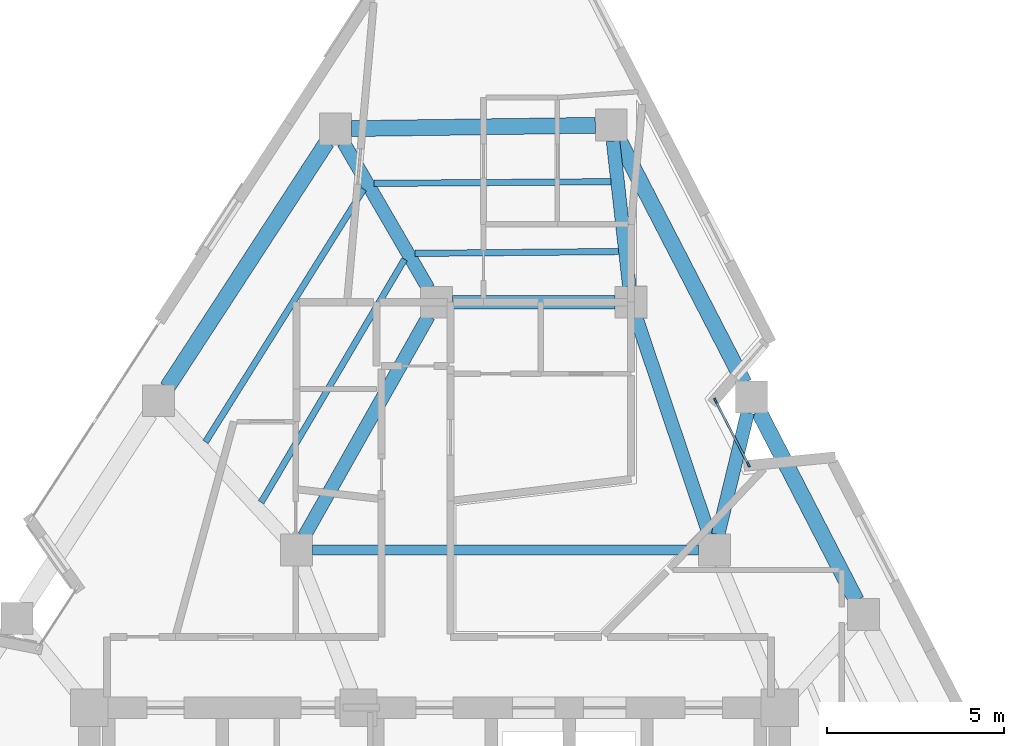
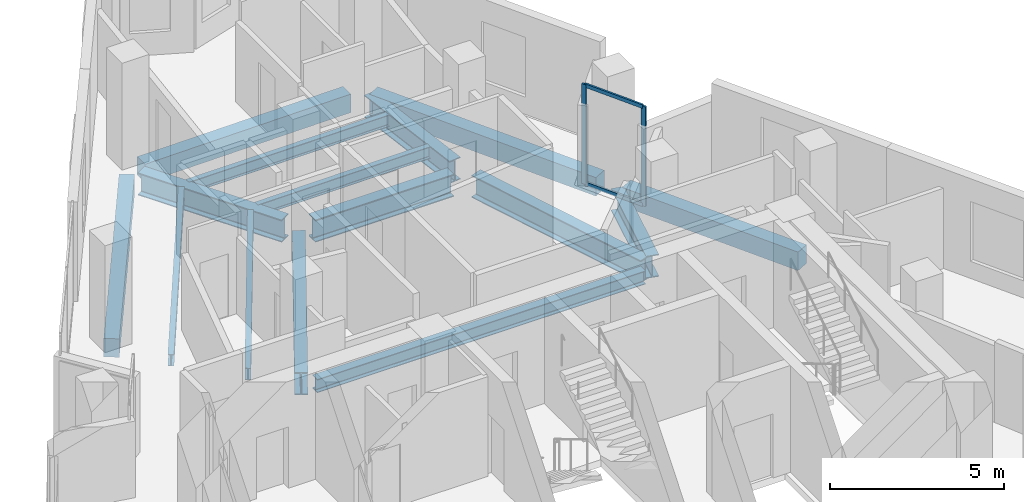
# One storey, part 3 of 9: 15 beams, 4 members, 1 element without a shape of its own.
"""IFC4 building model written with IfcOpenShell, lengths in metres."""

from ifc_helpers import new_model, si_unit, direction, frame, origin, origin_2d, place, context, subcontext, project, spatial, rectangle, i_section, extrude, material, layer, layer_set, material_profile, profile_set, type_object, element, aggregate, save


model = new_model("IFC4")

# Units and contexts
model_context = context("Model", 3, precision=1e-05, world=origin(), true_north=direction((0.0, 1.0)))
body_context = subcontext(model_context, "Body", "Model", "MODEL_VIEW")
ifc_project = project(units=[si_unit("LENGTHUNIT", "METRE"), si_unit("AREAUNIT", "SQUARE_METRE"), si_unit("VOLUMEUNIT", "CUBIC_METRE"), si_unit("PLANEANGLEUNIT", "RADIAN"), si_unit("MASSUNIT", "GRAM", prefix="KILO")], contexts=[model_context])

# Site, building, storey
site_placement = place(None, origin())
site = spatial("IfcSite", under=ifc_project, at=site_placement, CompositionType="ELEMENT")
building_placement = place(site_placement, origin())
building = spatial("IfcBuilding", under=site, at=building_placement, Name="Almagre Mirador Tower", CompositionType="ELEMENT")
storey_placement = place(building_placement, frame((0.0, 0.0, 210.75)))
storey = spatial("IfcBuildingStorey", under=building, at=storey_placement, Name="L54", CompositionType="ELEMENT", Elevation=210.75)

# Beams
ifc_material_1 = material(Name="Steel ASTM A992 Grade 50", Category="steel")
ifc_material_profile_1 = material_profile(ifc_material_1, i_section(OverallWidth=0.281982421875, OverallDepth=0.467041015625, WebThickness=0.01220703125, FlangeThickness=0.01953125, FilletRadius=0.01611328125, at=origin_2d()), Name="W18X86")
ifc_profile_set_1 = profile_set([ifc_material_profile_1], Name="Steel ASTM A992 Grade 50")
beam_type_1 = type_object("IfcBeamType", Name="BM-BAL-W18X86", PredefinedType="JOIST", material=ifc_profile_set_1)
beam_1_placement = place(storey_placement, frame((33.85009765625, 19.199951171875, -0.4833984375), z_axis=(1.0, 0.0, 0.0), x_axis=(0.0, 1.0, 0.0)))
element("IfcBeam", 1, at=beam_1_placement, inside=storey, type_object=beam_type_1, Name="L54 secondary header beam BB-01", PredefinedType="JOIST", context=body_context, shape_type="SweptSolid", body=[
    extrude(i_section(OverallWidth=0.281982421875, OverallDepth=0.467041015625, WebThickness=0.01220703125, FlangeThickness=0.01953125, FilletRadius=0.01611328125, at=origin_2d()), origin(), (0.0, 0.0, 1.0), 10.89990234375),
])
ifc_material_2 = material(Name="Steel ASTM A992 Grade 50", Category="steel")
ifc_material_profile_2 = material_profile(ifc_material_2, i_section(OverallWidth=0.178955078125, OverallDepth=0.408935546875, WebThickness=0.0087890625, FlangeThickness=0.014404296875, FilletRadius=0.013916015625, at=origin_2d()), Name="W16X45")
ifc_profile_set_2 = profile_set([ifc_material_profile_2], Name="Steel ASTM A992 Grade 50")
beam_type_2 = type_object("IfcBeamType", Name="BM-JST-W16X45", PredefinedType="JOIST", material=ifc_profile_set_2)
beam_2_placement = place(storey_placement, frame((42.276123046875, 29.603271484375, -0.45458984375), z_axis=(-0.999974882537, -0.007087615623, 0.0), x_axis=(0.007087615623, -0.999974882537, 0.0)))
element("IfcBeam", 2, at=beam_2_placement, inside=storey, type_object=beam_type_2, Name="L54 secondary floor joist PC08-PC09.1", PredefinedType="JOIST", context=body_context, shape_type="SweptSolid", body=[
    extrude(i_section(OverallWidth=0.178955078125, OverallDepth=0.408935546875, WebThickness=0.0087890625, FlangeThickness=0.014404296875, FilletRadius=0.013916015625, at=origin_2d()), origin(), (0.0, 0.0, 1.0), 6.6826171875),
])
beam_3_placement = place(storey_placement, frame((42.497314453125, 27.63134765625, -0.45458984375), z_axis=(-0.999959183472, -0.009035009166, 0.0), x_axis=(0.009035009166, -0.999959183472, 0.0)))
element("IfcBeam", 3, at=beam_3_placement, inside=storey, type_object=beam_type_2, Name="L54 secondary floor joist PC08-PC09.3", PredefinedType="JOIST", context=body_context, shape_type="SweptSolid", body=[
    extrude(i_section(OverallWidth=0.178955078125, OverallDepth=0.408935546875, WebThickness=0.0087890625, FlangeThickness=0.014404296875, FilletRadius=0.013916015625, at=origin_2d()), origin(), (0.0, 0.0, 1.0), 5.755615234375),
])
beam_4_placement = place(storey_placement, frame((35.2998046875, 29.391845703125, -0.45458984375), z_axis=(-0.530491384924, -0.847690327019, 0.0), x_axis=(0.847690327019, -0.530491384924, 0.0)))
element("IfcBeam", 4, at=beam_4_placement, inside=storey, type_object=beam_type_2, Name="L54 secondary floor joist PC09-PC10.1", PredefinedType="JOIST", context=body_context, shape_type="SweptSolid", body=[
    extrude(i_section(OverallWidth=0.178955078125, OverallDepth=0.408935546875, WebThickness=0.0087890625, FlangeThickness=0.014404296875, FilletRadius=0.013916015625, at=origin_2d()), origin(), (0.0, 0.0, 1.0), 8.421142578125),
])
beam_5_placement = place(storey_placement, frame((36.452392578125, 27.412109375, -0.45458984375), z_axis=(-0.508060215772, -0.861321552702, 0.0), x_axis=(0.861321552702, -0.508060215772, 0.0)))
element("IfcBeam", 5, at=beam_5_placement, inside=storey, type_object=beam_type_2, Name="L54 secondary floor joist PC09-PC10.3", PredefinedType="JOIST", context=body_context, shape_type="SweptSolid", body=[
    extrude(i_section(OverallWidth=0.178955078125, OverallDepth=0.408935546875, WebThickness=0.0087890625, FlangeThickness=0.014404296875, FilletRadius=0.013916015625, at=origin_2d()), origin(), (0.0, 0.0, 1.0), 7.9677734375),
])
ifc_material_3 = material(Name="Precast concrete C50/60", Category="concrete")
ifc_material_profile_3 = material_profile(ifc_material_3, rectangle(XDim=0.449951171875, YDim=0.64990234375, at=origin_2d()), Name="RC450X650")
ifc_profile_set_3 = profile_set([ifc_material_profile_3], Name="Precast concrete C50/60")
beam_type_3 = type_object("IfcBeamType", Name="BM-SPN-RC450X650", PredefinedType="SPANDREL", material=ifc_profile_set_3)
beam_6_placement = place(storey_placement, frame((49.210693359375, 17.778076171875, -0.574951171875), z_axis=(-0.458304670179, 0.888795155979, 0.0), x_axis=(-0.888795155979, -0.458304670179, 0.0)))
element("IfcBeam", 6, at=beam_6_placement, inside=storey, type_object=beam_type_3, Name="L54 perimeter spandrel beam PC06-PC07", PredefinedType="SPANDREL", context=body_context, shape_type="SweptSolid", body=[
    extrude(rectangle(XDim=0.449951171875, YDim=0.64990234375, at=origin_2d()), origin(), (0.0, 0.0, 1.0), 6.0126953125),
])
beam_7_placement = place(storey_placement, frame((46.042724609375, 23.922119140625, -0.574951171875), z_axis=(-0.45830626259, 0.888794334855, 0.0), x_axis=(-0.888794334855, -0.45830626259, 0.0)))
element("IfcBeam", 7, at=beam_7_placement, inside=storey, type_object=beam_type_3, Name="L54 perimeter spandrel beam PC07-PC08", PredefinedType="SPANDREL", context=body_context, shape_type="SweptSolid", body=[
    extrude(rectangle(XDim=0.449951171875, YDim=0.64990234375, at=origin_2d()), origin(), (0.0, 0.0, 1.0), 7.74072265625),
])
beam_8_placement = place(storey_placement, frame((41.839111328125, 31.19580078125, -0.574951171875), z_axis=(-0.999909177083, -0.013477298879, 0.0), x_axis=(0.013477298879, -0.999909177083, 0.0)))
element("IfcBeam", 8, at=beam_8_placement, inside=storey, type_object=beam_type_3, Name="L54 perimeter spandrel beam PC08-PC09", PredefinedType="SPANDREL", context=body_context, shape_type="SweptSolid", body=[
    extrude(rectangle(XDim=0.449951171875, YDim=0.64990234375, at=origin_2d()), origin(), (0.0, 0.0, 1.0), 6.8837890625),
])
beam_9_placement = place(storey_placement, frame((34.260498046875, 30.719970703125, -0.574951171875), z_axis=(-0.545607073801, -0.838041121317, 0.0), x_axis=(0.838041121317, -0.545607073801, 0.0)))
element("IfcBeam", 9, at=beam_9_placement, inside=storey, type_object=beam_type_3, Name="L54 perimeter spandrel beam PC09-PC10", PredefinedType="SPANDREL", context=body_context, shape_type="SweptSolid", body=[
    extrude(rectangle(XDim=0.449951171875, YDim=0.64990234375, at=origin_2d()), origin(), (0.0, 0.0, 1.0), 8.26416015625),
])
ifc_material_4 = material(Name="Steel ASTM A992 Grade 50", Category="steel")
ifc_material_profile_4 = material_profile(ifc_material_4, i_section(OverallWidth=0.384033203125, OverallDepth=0.784912109375, WebThickness=0.019775390625, FlangeThickness=0.033447265625, FilletRadius=0.02392578125, at=origin_2d()), Name="W30X211")
ifc_profile_set_4 = profile_set([ifc_material_profile_4], Name="Steel ASTM A992 Grade 50")
beam_type_4 = type_object("IfcBeamType", Name="BM-STL-W30X211", PredefinedType="BEAM", material=ifc_profile_set_4)
beam_10_placement = place(storey_placement, frame((37.800048828125, 26.199951171875, -0.642578125), z_axis=(1.0, 0.0, 0.0), x_axis=(0.0, 1.0, 0.0)))
element("IfcBeam", 10, at=beam_10_placement, inside=storey, type_object=beam_type_4, Name="L54 core tie girder MC7-MC6", PredefinedType="BEAM", context=body_context, shape_type="SweptSolid", body=[
    extrude(i_section(OverallWidth=0.384033203125, OverallDepth=0.784912109375, WebThickness=0.019775390625, FlangeThickness=0.033447265625, FilletRadius=0.02392578125, at=origin_2d()), origin(), (0.0, 0.0, 1.0), 4.599853515625),
])
beam_11_placement = place(storey_placement, frame((42.9931640625, 25.7734375, -0.642578125), z_axis=(0.318282890726, -0.947995781357, 0.0), x_axis=(0.947995781357, 0.318282890726, 0.0)))
element("IfcBeam", 11, at=beam_11_placement, inside=storey, type_object=beam_type_4, Name="L54 core tie girder MC6-MC5", PredefinedType="BEAM", context=body_context, shape_type="SweptSolid", body=[
    extrude(i_section(OverallWidth=0.384033203125, OverallDepth=0.784912109375, WebThickness=0.019775390625, FlangeThickness=0.033447265625, FilletRadius=0.02392578125, at=origin_2d()), origin(), (0.0, 0.0, 1.0), 6.48388671875),
])
beam_12_placement = place(storey_placement, frame((37.12890625, 25.80810546875, -0.642578125), z_axis=(-0.491446261843, -0.870907900825, 0.0), x_axis=(0.870907900825, -0.491446261843, 0.0)))
element("IfcBeam", 12, at=beam_12_placement, inside=storey, type_object=beam_type_4, Name="L54 core tie girder MC7-MC8", PredefinedType="BEAM", context=body_context, shape_type="SweptSolid", body=[
    extrude(i_section(OverallWidth=0.384033203125, OverallDepth=0.784912109375, WebThickness=0.019775390625, FlangeThickness=0.033447265625, FilletRadius=0.02392578125, at=origin_2d()), origin(), (0.0, 0.0, 1.0), 7.1376953125),
])
beam_13_placement = place(storey_placement, frame((46.142822265625, 23.084716796875, -0.642578125), z_axis=(-0.235842287006, -0.971791343684, 0.0), x_axis=(0.971791343684, -0.235842287006, 0.0)))
element("IfcBeam", 13, at=beam_13_placement, inside=storey, type_object=beam_type_4, Name="L54 radial floor girder PC07-MC5", PredefinedType="BEAM", context=body_context, shape_type="SweptSolid", body=[
    extrude(i_section(OverallWidth=0.384033203125, OverallDepth=0.784912109375, WebThickness=0.019775390625, FlangeThickness=0.033447265625, FilletRadius=0.02392578125, at=origin_2d()), origin(), (0.0, 0.0, 1.0), 3.547607421875),
])
beam_14_placement = place(storey_placement, frame((42.339111328125, 30.7548828125, -0.642578125), z_axis=(0.111455741765, -0.993769398617, 0.0), x_axis=(0.993769398617, 0.111455741765, 0.0)))
element("IfcBeam", 14, at=beam_14_placement, inside=storey, type_object=beam_type_4, Name="L54 radial floor girder PC08-MC6", PredefinedType="BEAM", context=body_context, shape_type="SweptSolid", body=[
    extrude(i_section(OverallWidth=0.384033203125, OverallDepth=0.784912109375, WebThickness=0.019775390625, FlangeThickness=0.033447265625, FilletRadius=0.02392578125, at=origin_2d()), origin(), (0.0, 0.0, 1.0), 4.13330078125),
])
beam_15_placement = place(storey_placement, frame((34.73193359375, 30.7080078125, -0.642578125), z_axis=(0.502209707608, -0.864745864161, 0.0), x_axis=(0.864745864161, 0.502209707608, 0.0)))
element("IfcBeam", 15, at=beam_15_placement, inside=storey, type_object=beam_type_4, Name="L54 radial floor girder PC09-MC7", PredefinedType="BEAM", context=body_context, shape_type="SweptSolid", body=[
    extrude(i_section(OverallWidth=0.384033203125, OverallDepth=0.784912109375, WebThickness=0.019775390625, FlangeThickness=0.033447265625, FilletRadius=0.02392578125, at=origin_2d()), origin(), (0.0, 0.0, 1.0), 4.76318359375),
])

# Curtain wall, members
ifc_material_5 = material(Name="Black anodized aluminium", Category="aluminium")
ifc_layer = layer(ifc_material_5, 0.169921875)
ifc_layer_set = layer_set([ifc_layer], Name="Black anodized aluminium")
curtain_wall_type = type_object("IfcCurtainWallType", Name="CW-CRS-SYS", PredefinedType="NOTDEFINED", material=ifc_layer_set)
curtain_wall_placement = place(storey_placement, origin())
curtain_wall = element("IfcCurtainWall", 16, at=curtain_wall_placement, inside=storey, type_object=curtain_wall_type, Name="L54 vertical crease curtain wall 03", PredefinedType="NOTDEFINED")
ifc_material_6 = material(Name="Black anodized aluminium", Category="aluminium")
ifc_material_profile_5 = material_profile(ifc_material_6, rectangle(XDim=0.06005859375, YDim=0.14990234375, at=origin_2d()), Name="CWM60X150")
ifc_profile_set_5 = profile_set([ifc_material_profile_5], Name="Black anodized aluminium")
member_type_1 = type_object("IfcMemberType", Name="MBR-CWM60X150", PredefinedType="MULLION", material=ifc_profile_set_5)
member_1_placement = place(storey_placement, frame((45.232666015625, 23.42041015625, 0.0), z_axis=(0.0, 0.0, 1.0), x_axis=(0.888809256499, 0.458277323858, 0.0)))
member_1 = element("IfcMember", 17, at=member_1_placement, type_object=member_type_1, Name="CW-4 mullion 1", PredefinedType="MULLION", context=body_context, shape_type="SweptSolid", body=[
    extrude(rectangle(XDim=0.06005859375, YDim=0.14990234375, at=origin_2d()), origin(), (0.0, 0.0, 1.0), 3.5),
])
member_2_placement = place(storey_placement, frame((46.163330078125, 21.61572265625, 0.0), z_axis=(0.0, 0.0, 1.0), x_axis=(0.888809256499, 0.458277323858, 0.0)))
member_2 = element("IfcMember", 18, at=member_2_placement, type_object=member_type_1, Name="CW-4 mullion 2", PredefinedType="MULLION", context=body_context, shape_type="SweptSolid", body=[
    extrude(rectangle(XDim=0.06005859375, YDim=0.14990234375, at=origin_2d()), origin(), (0.0, 0.0, 1.0), 3.5),
])
ifc_material_7 = material(Name="Black anodized aluminium", Category="aluminium")
ifc_material_profile_6 = material_profile(ifc_material_7, rectangle(XDim=0.06005859375, YDim=0.1298828125, at=origin_2d()), Name="CWT60X130")
ifc_profile_set_6 = profile_set([ifc_material_profile_6], Name="Black anodized aluminium")
member_type_2 = type_object("IfcMemberType", Name="MBR-CWT60X130", PredefinedType="USERDEFINED", material=ifc_profile_set_6)
member_3_placement = place(storey_placement, frame((45.24658203125, 23.3935546875, 0.030029296875), z_axis=(0.458232540668, -0.88883234565, 0.0), x_axis=(0.88883234565, 0.458232540668, 0.0)))
member_3 = element("IfcMember", 19, at=member_3_placement, type_object=member_type_2, Name="CW-4 transom 1.1", ObjectType="TRANSOM", PredefinedType="USERDEFINED", context=body_context, shape_type="SweptSolid", body=[
    extrude(rectangle(XDim=0.06005859375, YDim=0.1298828125, at=origin_2d()), origin(), (0.0, 0.0, 1.0), 1.97021484375),
])
member_4_placement = place(storey_placement, frame((45.24658203125, 23.3935546875, 3.469970703125), z_axis=(0.458232540668, -0.88883234565, 0.0), x_axis=(0.88883234565, 0.458232540668, 0.0)))
member_4 = element("IfcMember", 20, at=member_4_placement, type_object=member_type_2, Name="CW-4 transom 1.2", ObjectType="TRANSOM", PredefinedType="USERDEFINED", context=body_context, shape_type="SweptSolid", body=[
    extrude(rectangle(XDim=0.06005859375, YDim=0.1298828125, at=origin_2d()), origin(), (0.0, 0.0, 1.0), 1.97021484375),
])
aggregate(curtain_wall, [member_1, member_2, member_3, member_4])

save(model, "model.ifc")
